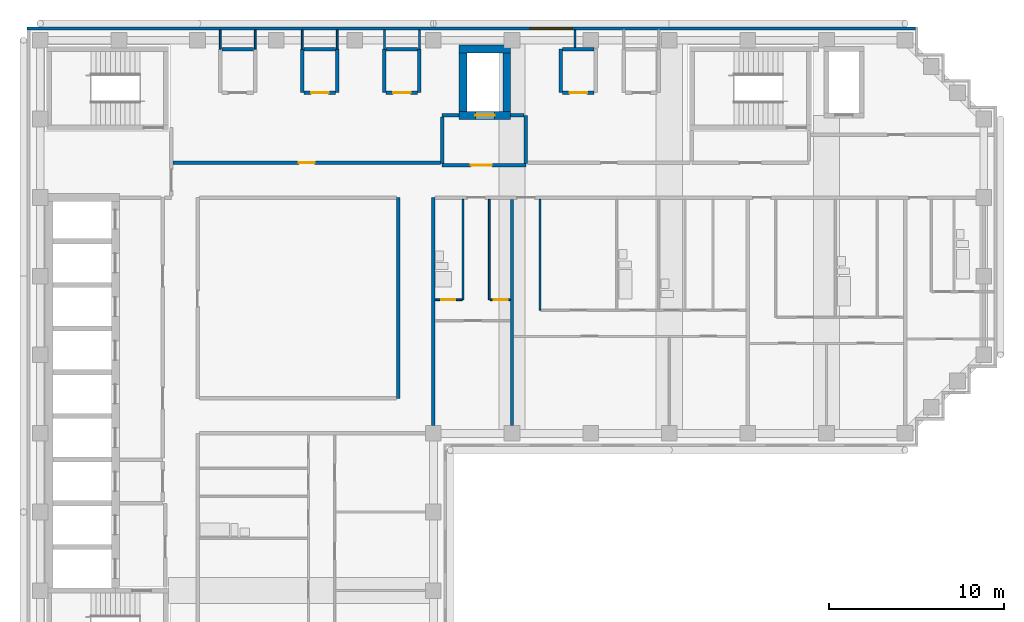
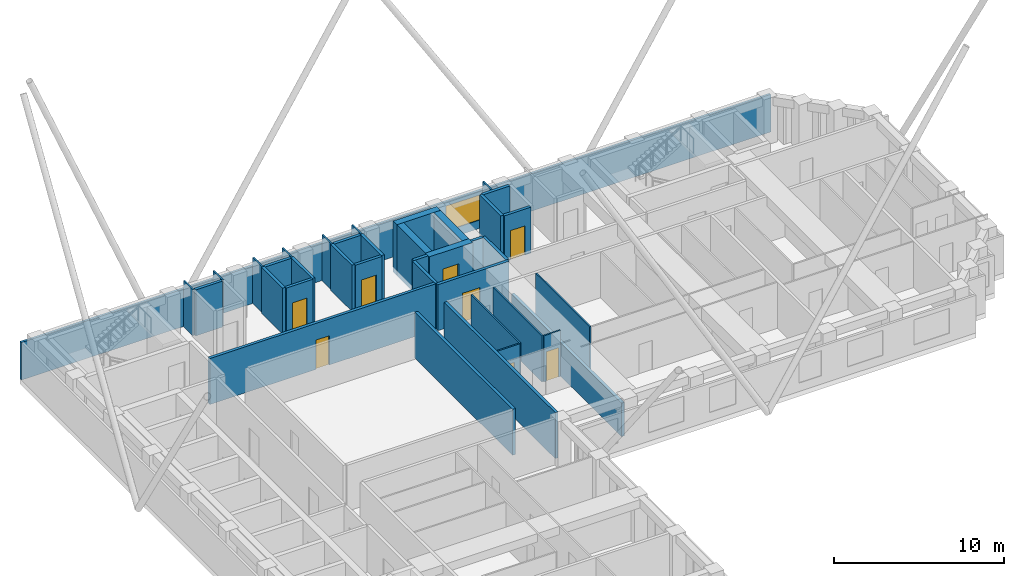
# One storey, part 5 of 9: 38 walls, 8 doors, 1 window, 9 openings.
"""IFC4 building model written with IfcOpenShell, lengths in metres."""

from ifc_helpers import new_model, si_unit, direction, frame, frame_2d, origin, place, context, subcontext, project, spatial, rectangle, extrude, material, layer, layer_set, type_object, element, fill, save


model = new_model("IFC4")

# Units and contexts
model_context = context("Model", 3, precision=1e-05, world=origin(), true_north=direction((0.0, 1.0)))
body_context = subcontext(model_context, "Body", "Model", "MODEL_VIEW")
ifc_project = project(units=[si_unit("LENGTHUNIT", "METRE"), si_unit("AREAUNIT", "SQUARE_METRE"), si_unit("VOLUMEUNIT", "CUBIC_METRE"), si_unit("PLANEANGLEUNIT", "RADIAN"), si_unit("MASSUNIT", "GRAM", prefix="KILO")], contexts=[model_context])

# Site, building, storey
site_placement = place(None, origin())
site = spatial("IfcSite", under=ifc_project, at=site_placement, CompositionType="ELEMENT")
building_placement = place(site_placement, origin())
building = spatial("IfcBuilding", under=site, at=building_placement, Name="Firuza Court", CompositionType="ELEMENT")
storey_placement = place(building_placement, frame((0.0, 0.0, 211.39990234375)))
storey = spatial("IfcBuildingStorey", under=building, at=storey_placement, Name="L54", CompositionType="ELEMENT", Elevation=211.39990234375)

# Wall
ifc_material_1 = material(Name="Moisture-resistant gypsum board partition")
ifc_layer_1 = layer(ifc_material_1, 0.10009765625)
ifc_layer_set_1 = layer_set([ifc_layer_1], Name="Moisture-resistant gypsum board partition")
wall_type_1 = type_object("IfcWallType", Name="Bathroom partition 100", PredefinedType="PLUMBINGWALL", material=ifc_layer_set_1)
wall_1_placement = place(storey_placement, frame((24.199951171875, 43.64990234375, 0.0), z_axis=(0.0, 0.0, 1.0), x_axis=(0.0, 1.0, 0.0)))
element("IfcWall", 1, at=wall_1_placement, inside=storey, type_object=wall_type_1, Name="Bathroom partition 100 L54", PredefinedType="PLUMBINGWALL", context=body_context, shape_type="SweptSolid", body=[
    extrude(rectangle(XDim=5.75, YDim=0.10009765625, at=frame_2d((2.875, 0.0))), origin(), (0.0, 0.0, 1.0), 3.300048828125),
])

# Wall, opening, door
ifc_material_2 = material(Name="Concrete C50/60", Category="concrete")
ifc_layer_2 = layer(ifc_material_2, 0.449951171875)
ifc_layer_set_2 = layer_set([ifc_layer_2], Name="Concrete C50/60")
wall_type_2 = type_object("IfcWallType", Name="Core wall 450 C50/60", PredefinedType="SHEAR", material=ifc_layer_set_2)
wall_2_placement = place(storey_placement, frame((23.97509765625, 54.199951171875, -0.349853515625), z_axis=(0.0, 0.0, 1.0), x_axis=(1.0, 0.0, 0.0)))
wall_2 = element("IfcWall", 2, at=wall_2_placement, inside=storey, type_object=wall_type_2, Name="Core wall lift shaft L54", PredefinedType="SHEAR", context=body_context, shape_type="SweptSolid", body=[
    extrude(rectangle(XDim=2.949951171875, YDim=0.449951171875, at=frame_2d((1.47509765625, 0.0))), origin(), (0.0, 0.0, 1.0), 3.64990234375),
])
opening_1_placement = place(wall_2_placement, frame((0.925048828125, 0.0, 0.35009765625)))
opening_1 = element("IfcOpeningElement", 3, at=opening_1_placement, cuts=wall_2, Name="Opening LD-FL3-54", PredefinedType="OPENING", context=body_context, shape_type="SweptSolid", body=[
    extrude(rectangle(XDim=1.10009765625, YDim=2.10009765625, at=frame_2d((0.550048828125, 1.050048828125))), frame((0.0, 0.23681640625, 0.0), z_axis=(0.0, -1.0, 0.0), x_axis=(1.0, 0.0, 0.0)), (0.0, 0.0, 1.0), 0.473876953125),
])
ifc_material_3 = material(Name="Stainless steel 1.4301 door leaf", Category="steel")
door_type_1 = type_object("IfcDoorType", Name="Lift landing door 1100", OperationType="SLIDING_TO_LEFT", PredefinedType="DOOR", material=ifc_material_3)
door_1_placement = place(opening_1_placement, origin())
door_1 = element("IfcDoor", 4, at=door_1_placement, inside=storey, type_object=door_type_1, Name="Landing door FL3", OperationType="SLIDING_TO_LEFT", OverallHeight=2.10009765625, OverallWidth=1.10009765625, PredefinedType="DOOR", context=body_context, shape_type="SweptSolid", body=[
    extrude(rectangle(XDim=1.10009765625, YDim=2.10009765625, at=frame_2d((0.550048828125, 1.050048828125))), frame((0.0, 0.02490234375, 0.0), z_axis=(0.0, -1.0, 0.0), x_axis=(1.0, 0.0, 0.0)), (0.0, 0.0, 1.0), 0.050048828125),
])
fill(opening_1, door_1)

# Walls
wall_3_placement = place(storey_placement, frame((23.97509765625, 58.0, -0.349853515625), z_axis=(0.0, 0.0, 1.0), x_axis=(1.0, 0.0, 0.0)))
element("IfcWall", 5, at=wall_3_placement, inside=storey, type_object=wall_type_2, Name="Core wall lift shaft L54", PredefinedType="SHEAR", context=body_context, shape_type="SweptSolid", body=[
    extrude(rectangle(XDim=2.949951171875, YDim=0.449951171875, at=frame_2d((1.47509765625, 0.0))), origin(), (0.0, 0.0, 1.0), 3.64990234375),
])
for number, where, z_axis, x_axis, name in (
    (6, (24.199951171875, 54.425048828125, -0.349853515625), (0.0, 0.0, 1.0), (0.0, 1.0, 0.0), "Core wall lift shaft L54"),
    (7, (26.699951171875, 54.425048828125, -0.349853515625), (0.0, 0.0, 1.0), (0.0, 1.0, 0.0), "Core wall lift shaft L54"),
):
    element("IfcWall", number, at=place(storey_placement, frame(where, z_axis=z_axis, x_axis=x_axis)), inside=storey, type_object=wall_type_2, Name=name, PredefinedType="SHEAR", context=body_context, shape_type="SweptSolid", body=[
        extrude(rectangle(XDim=3.349853515625, YDim=0.449951171875, at=frame_2d((1.6748046875, 0.0))), origin(), (0.0, 0.0, 1.0), 3.64990234375),
    ])
ifc_material_4 = material(Name="Blockwork, plastered both sides", Category="masonry")
ifc_layer_3 = layer(ifc_material_4, 0.199951171875)
ifc_layer_set_3 = layer_set([ifc_layer_3], Name="Blockwork, plastered both sides")
wall_type_3 = type_object("IfcWallType", Name="Corridor wall 200", PredefinedType="PARTITIONING", material=ifc_layer_set_3)
wall_4_placement = place(storey_placement, frame((20.5, 38.0, 0.0), z_axis=(0.0, 0.0, 1.0), x_axis=(0.0, 1.0, 0.0)))
element("IfcWall", 8, at=wall_4_placement, inside=storey, type_object=wall_type_3, Name="Corridor wall 200 L54", PredefinedType="PARTITIONING", context=body_context, shape_type="SweptSolid", body=[
    extrude(rectangle(XDim=11.5, YDim=0.199951171875, at=frame_2d((5.75, 0.0))), origin(), (0.0, 0.0, 1.0), 3.300048828125),
])

# Wall, opening, door
wall_5_placement = place(storey_placement, frame((7.60009765625, 51.5, 0.0), z_axis=(0.0, 0.0, 1.0), x_axis=(1.0, 0.0, 0.0)))
wall_5 = element("IfcWall", 9, at=wall_5_placement, inside=storey, type_object=wall_type_3, Name="Corridor wall 200 L54", PredefinedType="PARTITIONING", context=body_context, shape_type="SweptSolid", body=[
    extrude(rectangle(XDim=15.2998046875, YDim=0.199951171875, at=frame_2d((7.64990234375, 0.0))), origin(), (0.0, 0.0, 1.0), 3.300048828125),
])
opening_2_placement = place(wall_5_placement, frame((7.199951171875, 0.0, 0.0)))
opening_2 = element("IfcOpeningElement", 10, at=opening_2_placement, cuts=wall_5, Name="Opening D54049", PredefinedType="OPENING", context=body_context, shape_type="SweptSolid", body=[
    extrude(rectangle(XDim=0.89990234375, YDim=2.10009765625, at=frame_2d((0.449951171875, 1.050048828125))), frame((0.0, 0.11181640625, 0.0), z_axis=(0.0, -1.0, 0.0), x_axis=(1.0, 0.0, 0.0)), (0.0, 0.0, 1.0), 0.223876953125),
])
ifc_material_5 = material(Name="Timber door leaf in hardwood frame", Category="wood")
door_type_2 = type_object("IfcDoorType", Name="Room door 900 EI 30", OperationType="SINGLE_SWING_LEFT", PredefinedType="DOOR", material=ifc_material_5)
door_2_placement = place(opening_2_placement, origin())
door_2 = element("IfcDoor", 11, at=door_2_placement, inside=storey, type_object=door_type_2, Name="Residents' workroom door", OperationType="SINGLE_SWING_LEFT", OverallHeight=2.10009765625, OverallWidth=0.89990234375, PredefinedType="DOOR", context=body_context, shape_type="SweptSolid", body=[
    extrude(rectangle(XDim=0.89990234375, YDim=2.10009765625, at=frame_2d((0.449951171875, 1.050048828125))), frame((0.0, 0.02490234375, 0.0), z_axis=(0.0, -1.0, 0.0), x_axis=(1.0, 0.0, 0.0)), (0.0, 0.0, 1.0), 0.050048828125),
])
fill(opening_2, door_2)

# Wall
ifc_material_6 = material(Name="Timber stud partition, plasterboard both sides", Category="wood")
ifc_layer_4 = layer(ifc_material_6, 0.10009765625)
ifc_layer_set_4 = layer_set([ifc_layer_4], Name="Timber stud partition, plasterboard both sides")
wall_type_4 = type_object("IfcWallType", Name="Partition wall 100", PredefinedType="PARTITIONING", material=ifc_layer_set_4)
wall_6_placement = place(storey_placement, frame((28.60009765625, 43.050048828125, 0.0), z_axis=(0.0, 0.0, 1.0), x_axis=(0.0, 1.0, 0.0)))
element("IfcWall", 12, at=wall_6_placement, inside=storey, type_object=wall_type_4, Name="Partition wall 100 L54", PredefinedType="PARTITIONING", context=body_context, shape_type="SweptSolid", body=[
    extrude(rectangle(XDim=6.349853515625, YDim=0.10009765625, at=frame_2d((3.1748046875, 0.0))), origin(), (0.0, 0.0, 1.0), 3.300048828125),
])

# Wall, opening, door
wall_7_placement = place(storey_placement, frame((22.60009765625, 43.64990234375, 0.0), z_axis=(0.0, 0.0, 1.0), x_axis=(1.0, 0.0, 0.0)))
wall_7 = element("IfcWall", 13, at=wall_7_placement, inside=storey, type_object=wall_type_4, Name="Partition wall 100 L54", PredefinedType="PARTITIONING", context=body_context, shape_type="SweptSolid", body=[
    extrude(rectangle(XDim=1.5498046875, YDim=0.10009765625, at=frame_2d((0.77490234375, 0.0))), origin(), (0.0, 0.0, 1.0), 3.300048828125),
])
opening_3_placement = place(wall_7_placement, frame((0.35009765625, 0.0, 0.0)))
opening_3 = element("IfcOpeningElement", 14, at=opening_3_placement, cuts=wall_7, Name="Opening D54041", PredefinedType="OPENING", context=body_context, shape_type="SweptSolid", body=[
    extrude(rectangle(XDim=0.800048828125, YDim=2.10009765625, at=frame_2d((0.39990234375, 1.050048828125))), frame((0.0, 0.06201171875, 0.0), z_axis=(0.0, -1.0, 0.0), x_axis=(1.0, 0.0, 0.0)), (0.0, 0.0, 1.0), 0.1240234375),
])
ifc_material_7 = material(Name="Timber door leaf in hardwood frame", Category="wood")
door_type_3 = type_object("IfcDoorType", Name="Bathroom door 800", OperationType="SINGLE_SWING_LEFT", PredefinedType="DOOR", material=ifc_material_7)
door_3_placement = place(opening_3_placement, origin())
door_3 = element("IfcDoor", 15, at=door_3_placement, inside=storey, type_object=door_type_3, Name="Bathroom door", OperationType="SINGLE_SWING_LEFT", OverallHeight=2.10009765625, OverallWidth=0.800048828125, PredefinedType="DOOR", context=body_context, shape_type="SweptSolid", body=[
    extrude(rectangle(XDim=0.800048828125, YDim=2.10009765625, at=frame_2d((0.39990234375, 1.050048828125))), frame((0.0, 0.02490234375, 0.0), z_axis=(0.0, -1.0, 0.0), x_axis=(1.0, 0.0, 0.0)), (0.0, 0.0, 1.0), 0.050048828125),
])
fill(opening_3, door_3)

# Wall
wall_8_placement = place(storey_placement, frame((25.699951171875, 43.64990234375, 0.0), z_axis=(0.0, 0.0, 1.0), x_axis=(0.0, 1.0, 0.0)))
element("IfcWall", 16, at=wall_8_placement, inside=storey, type_object=wall_type_4, Name="Partition wall 100 L54", PredefinedType="PARTITIONING", context=body_context, shape_type="SweptSolid", body=[
    extrude(rectangle(XDim=5.75, YDim=0.10009765625, at=frame_2d((2.875, 0.0))), origin(), (0.0, 0.0, 1.0), 3.300048828125),
])

# Wall, opening, door
wall_9_placement = place(storey_placement, frame((25.75, 43.64990234375, 0.0), z_axis=(0.0, 0.0, 1.0), x_axis=(1.0, 0.0, 0.0)))
wall_9 = element("IfcWall", 17, at=wall_9_placement, inside=storey, type_object=wall_type_4, Name="Partition wall 100 L54", PredefinedType="PARTITIONING", context=body_context, shape_type="SweptSolid", body=[
    extrude(rectangle(XDim=1.14990234375, YDim=0.10009765625, at=frame_2d((0.574951171875, 0.0))), origin(), (0.0, 0.0, 1.0), 3.300048828125),
])
opening_4_placement = place(wall_9_placement, frame((0.199951171875, 0.0, 0.0)))
opening_4 = element("IfcOpeningElement", 18, at=opening_4_placement, cuts=wall_9, Name="Opening D54042", PredefinedType="OPENING", context=body_context, shape_type="SweptSolid", body=[
    extrude(rectangle(XDim=0.800048828125, YDim=2.10009765625, at=frame_2d((0.39990234375, 1.050048828125))), frame((0.0, 0.06201171875, 0.0), z_axis=(0.0, -1.0, 0.0), x_axis=(1.0, 0.0, 0.0)), (0.0, 0.0, 1.0), 0.1240234375),
])
ifc_material_8 = material(Name="Timber door leaf in hardwood frame", Category="wood")
door_type_4 = type_object("IfcDoorType", Name="Room door 800", OperationType="SINGLE_SWING_LEFT", PredefinedType="DOOR", material=ifc_material_8)
door_4_placement = place(opening_4_placement, origin())
door_4 = element("IfcDoor", 19, at=door_4_placement, inside=storey, type_object=door_type_4, Name="Kitchen door", OperationType="SINGLE_SWING_LEFT", OverallHeight=2.10009765625, OverallWidth=0.800048828125, PredefinedType="DOOR", context=body_context, shape_type="SweptSolid", body=[
    extrude(rectangle(XDim=0.800048828125, YDim=2.10009765625, at=frame_2d((0.39990234375, 1.050048828125))), frame((0.0, 0.02490234375, 0.0), z_axis=(0.0, -1.0, 0.0), x_axis=(1.0, 0.0, 0.0)), (0.0, 0.0, 1.0), 0.050048828125),
])
fill(opening_4, door_4)

# Walls
for number, where, z_axis, x_axis, name in (
    (20, (10.300048828125, 58.0, 0.0), (0.0, 0.0, 1.0), (0.0, 1.0, 0.0), "Partition wall 100 L54"),
    (21, (12.300048828125, 58.0, 0.0), (0.0, 0.0, 1.0), (0.0, 1.0, 0.0), "Partition wall 100 L54"),
    (22, (15.0, 58.0, 0.0), (0.0, 0.0, 1.0), (0.0, 1.0, 0.0), "Partition wall 100 L54"),
    (23, (17.0, 58.0, 0.0), (0.0, 0.0, 1.0), (0.0, 1.0, 0.0), "Partition wall 100 L54"),
    (24, (19.699951171875, 58.0, 0.0), (0.0, 0.0, 1.0), (0.0, 1.0, 0.0), "Partition wall 100 L54"),
    (25, (21.699951171875, 58.0, 0.0), (0.0, 0.0, 1.0), (0.0, 1.0, 0.0), "Partition wall 100 L54"),
):
    element("IfcWall", number, at=place(storey_placement, frame(where, z_axis=z_axis, x_axis=x_axis)), inside=storey, type_object=wall_type_4, Name=name, PredefinedType="PARTITIONING", context=body_context, shape_type="SweptSolid", body=[
        extrude(rectangle(XDim=1.10009765625, YDim=0.10009765625, at=frame_2d((0.550048828125, 0.0))), origin(), (0.0, 0.0, 1.0), 3.300048828125),
    ])
wall_10_placement = place(storey_placement, frame((30.60009765625, 58.10009765625, 0.0), z_axis=(0.0, 0.0, 1.0), x_axis=(0.0, 1.0, 0.0)))
element("IfcWall", 26, at=wall_10_placement, inside=storey, type_object=wall_type_4, Name="Partition wall 100 L54", PredefinedType="PARTITIONING", context=body_context, shape_type="SweptSolid", body=[
    extrude(rectangle(XDim=1.0, YDim=0.10009765625, at=frame_2d((0.5, 0.0))), origin(), (0.0, 0.0, 1.0), 3.300048828125),
])
ifc_layer_5 = layer(ifc_material_4, 0.199951171875)
ifc_layer_set_5 = layer_set([ifc_layer_5], Name="Blockwork, plastered both sides")
wall_type_5 = type_object("IfcWallType", Name="Party wall 200", PredefinedType="PARTITIONING", material=ifc_layer_set_5)
wall_11_placement = place(storey_placement, frame((22.5, 36.449951171875, 0.0), z_axis=(0.0, 0.0, 1.0), x_axis=(0.0, 1.0, 0.0)))
element("IfcWall", 27, at=wall_11_placement, inside=storey, type_object=wall_type_5, Name="Party wall 200 L54", PredefinedType="PARTITIONING", context=body_context, shape_type="SweptSolid", body=[
    extrude(rectangle(XDim=13.050048828125, YDim=0.199951171875, at=frame_2d((6.52490234375, 0.0))), origin(), (0.0, 0.0, 1.0), 3.300048828125),
])
wall_12_placement = place(storey_placement, frame((27.0, 36.449951171875, 0.0), z_axis=(0.0, 0.0, 1.0), x_axis=(0.0, 1.0, 0.0)))
element("IfcWall", 28, at=wall_12_placement, inside=storey, type_object=wall_type_5, Name="Party wall 200 L54", PredefinedType="PARTITIONING", context=body_context, shape_type="SweptSolid", body=[
    extrude(rectangle(XDim=12.949951171875, YDim=0.199951171875, at=frame_2d((6.47509765625, 0.0))), origin(), (0.0, 0.0, 1.0), 2.400146484375),
])
ifc_material_9 = material(Name="Blockwork, fire-rated", Category="masonry")
ifc_layer_6 = layer(ifc_material_9, 0.199951171875)
ifc_layer_set_6 = layer_set([ifc_layer_6], Name="Blockwork, fire-rated")
wall_type_6 = type_object("IfcWallType", Name="Plant room wall 200", PredefinedType="PARTITIONING", material=ifc_layer_set_6)
wall_13_placement = place(storey_placement, frame((15.0, 55.5, 0.0), z_axis=(0.0, 0.0, 1.0), x_axis=(0.0, 1.0, 0.0)))
element("IfcWall", 29, at=wall_13_placement, inside=storey, type_object=wall_type_6, Name="Plant room wall 200 L54", PredefinedType="PARTITIONING", context=body_context, shape_type="SweptSolid", body=[
    extrude(rectangle(XDim=2.5, YDim=0.199951171875, at=frame_2d((1.25, 0.0))), origin(), (0.0, 0.0, 1.0), 3.300048828125),
])

# Wall, opening, door
wall_14_placement = place(storey_placement, frame((15.10009765625, 55.5, 0.0), z_axis=(0.0, 0.0, 1.0), x_axis=(1.0, 0.0, 0.0)))
wall_14 = element("IfcWall", 30, at=wall_14_placement, inside=storey, type_object=wall_type_6, Name="Plant room wall 200 L54", PredefinedType="PARTITIONING", context=body_context, shape_type="SweptSolid", body=[
    extrude(rectangle(XDim=1.7998046875, YDim=0.199951171875, at=frame_2d((0.89990234375, 0.0))), origin(), (0.0, 0.0, 1.0), 3.300048828125),
])
opening_5_placement = place(wall_14_placement, frame((0.39990234375, 0.0, 0.0)))
opening_5 = element("IfcOpeningElement", 31, at=opening_5_placement, cuts=wall_14, Name="Opening D54053", PredefinedType="OPENING", context=body_context, shape_type="SweptSolid", body=[
    extrude(rectangle(XDim=1.0, YDim=2.10009765625, at=frame_2d((0.5, 1.050048828125))), frame((0.0, 0.11181640625, 0.0), z_axis=(0.0, -1.0, 0.0), x_axis=(1.0, 0.0, 0.0)), (0.0, 0.0, 1.0), 0.223876953125),
])
ifc_material_10 = material(Name="Timber door leaf in hardwood frame", Category="wood")
door_type_5 = type_object("IfcDoorType", Name="Riser door 1000", OperationType="SINGLE_SWING_LEFT", PredefinedType="DOOR", material=ifc_material_10)
door_5_placement = place(opening_5_placement, origin())
door_5 = element("IfcDoor", 32, at=door_5_placement, inside=storey, type_object=door_type_5, Name="Electrical riser door", OperationType="SINGLE_SWING_LEFT", OverallHeight=2.10009765625, OverallWidth=1.0, PredefinedType="DOOR", context=body_context, shape_type="SweptSolid", body=[
    extrude(rectangle(XDim=1.0, YDim=2.10009765625, at=frame_2d((0.5, 1.050048828125))), frame((0.0, 0.02490234375, 0.0), z_axis=(0.0, -1.0, 0.0), x_axis=(1.0, 0.0, 0.0)), (0.0, 0.0, 1.0), 0.050048828125),
])
fill(opening_5, door_5)

# Walls
for number, where, z_axis, x_axis, name in (
    (33, (17.0, 55.5, 0.0), (0.0, 0.0, 1.0), (0.0, 1.0, 0.0), "Plant room wall 200 L54"),
    (34, (19.699951171875, 55.5, 0.0), (0.0, 0.0, 1.0), (0.0, 1.0, 0.0), "Plant room wall 200 L54"),
):
    element("IfcWall", number, at=place(storey_placement, frame(where, z_axis=z_axis, x_axis=x_axis)), inside=storey, type_object=wall_type_6, Name=name, PredefinedType="PARTITIONING", context=body_context, shape_type="SweptSolid", body=[
        extrude(rectangle(XDim=2.5, YDim=0.199951171875, at=frame_2d((1.25, 0.0))), origin(), (0.0, 0.0, 1.0), 3.300048828125),
    ])

# Wall, opening, door
wall_15_placement = place(storey_placement, frame((19.800048828125, 55.5, 0.0), z_axis=(0.0, 0.0, 1.0), x_axis=(1.0, 0.0, 0.0)))
wall_15 = element("IfcWall", 35, at=wall_15_placement, inside=storey, type_object=wall_type_6, Name="Plant room wall 200 L54", PredefinedType="PARTITIONING", context=body_context, shape_type="SweptSolid", body=[
    extrude(rectangle(XDim=1.800048828125, YDim=0.199951171875, at=frame_2d((0.89990234375, 0.0))), origin(), (0.0, 0.0, 1.0), 3.300048828125),
])
opening_6_placement = place(wall_15_placement, frame((0.39990234375, 0.0, 0.0)))
opening_6 = element("IfcOpeningElement", 36, at=opening_6_placement, cuts=wall_15, Name="Opening D54054", PredefinedType="OPENING", context=body_context, shape_type="SweptSolid", body=[
    extrude(rectangle(XDim=1.0, YDim=2.10009765625, at=frame_2d((0.5, 1.050048828125))), frame((0.0, 0.11181640625, 0.0), z_axis=(0.0, -1.0, 0.0), x_axis=(1.0, 0.0, 0.0)), (0.0, 0.0, 1.0), 0.223876953125),
])
door_6_placement = place(opening_6_placement, origin())
door_6 = element("IfcDoor", 37, at=door_6_placement, inside=storey, type_object=door_type_5, Name="Duct riser door", OperationType="SINGLE_SWING_LEFT", OverallHeight=2.10009765625, OverallWidth=1.0, PredefinedType="DOOR", context=body_context, shape_type="SweptSolid", body=[
    extrude(rectangle(XDim=1.0, YDim=2.10009765625, at=frame_2d((0.5, 1.050048828125))), frame((0.0, 0.02490234375, 0.0), z_axis=(0.0, -1.0, 0.0), x_axis=(1.0, 0.0, 0.0)), (0.0, 0.0, 1.0), 0.050048828125),
])
fill(opening_6, door_6)

# Walls
for number, where, z_axis, x_axis, name in (
    (38, (21.699951171875, 55.5, 0.0), (0.0, 0.0, 1.0), (0.0, 1.0, 0.0), "Plant room wall 200 L54"),
    (39, (29.800048828125, 55.5, 0.0), (0.0, 0.0, 1.0), (0.0, 1.0, 0.0), "Plant room wall 200 L54"),
):
    element("IfcWall", number, at=place(storey_placement, frame(where, z_axis=z_axis, x_axis=x_axis)), inside=storey, type_object=wall_type_6, Name=name, PredefinedType="PARTITIONING", context=body_context, shape_type="SweptSolid", body=[
        extrude(rectangle(XDim=2.5, YDim=0.199951171875, at=frame_2d((1.25, 0.0))), origin(), (0.0, 0.0, 1.0), 3.300048828125),
    ])

# Wall, opening, door
wall_16_placement = place(storey_placement, frame((29.89990234375, 55.5, 0.0), z_axis=(0.0, 0.0, 1.0), x_axis=(1.0, 0.0, 0.0)))
wall_16 = element("IfcWall", 40, at=wall_16_placement, inside=storey, type_object=wall_type_6, Name="Plant room wall 200 L54", PredefinedType="PARTITIONING", context=body_context, shape_type="SweptSolid", body=[
    extrude(rectangle(XDim=1.800048828125, YDim=0.199951171875, at=frame_2d((0.89990234375, 0.0))), origin(), (0.0, 0.0, 1.0), 3.300048828125),
])
opening_7_placement = place(wall_16_placement, frame((0.39990234375, 0.0, 0.0)))
opening_7 = element("IfcOpeningElement", 41, at=opening_7_placement, cuts=wall_16, Name="Opening D54055", PredefinedType="OPENING", context=body_context, shape_type="SweptSolid", body=[
    extrude(rectangle(XDim=1.0, YDim=2.10009765625, at=frame_2d((0.5, 1.050048828125))), frame((0.0, 0.11181640625, 0.0), z_axis=(0.0, -1.0, 0.0), x_axis=(1.0, 0.0, 0.0)), (0.0, 0.0, 1.0), 0.223876953125),
])
door_7_placement = place(opening_7_placement, origin())
door_7 = element("IfcDoor", 42, at=door_7_placement, inside=storey, type_object=door_type_5, Name="Electrical riser door", OperationType="SINGLE_SWING_LEFT", OverallHeight=2.10009765625, OverallWidth=1.0, PredefinedType="DOOR", context=body_context, shape_type="SweptSolid", body=[
    extrude(rectangle(XDim=1.0, YDim=2.10009765625, at=frame_2d((0.5, 1.050048828125))), frame((0.0, 0.02490234375, 0.0), z_axis=(0.0, -1.0, 0.0), x_axis=(1.0, 0.0, 0.0)), (0.0, 0.0, 1.0), 0.050048828125),
])
fill(opening_7, door_7)

# Walls
wall_17_placement = place(storey_placement, frame((10.39990234375, 58.0, 0.0), z_axis=(0.0, 0.0, 1.0), x_axis=(1.0, 0.0, 0.0)))
element("IfcWall", 43, at=wall_17_placement, inside=storey, type_object=wall_type_6, Name="Plant room wall 200 L54", PredefinedType="PARTITIONING", context=body_context, shape_type="SweptSolid", body=[
    extrude(rectangle(XDim=1.800048828125, YDim=0.199951171875, at=frame_2d((0.89990234375, 0.0))), origin(), (0.0, 0.0, 1.0), 3.300048828125),
])
wall_18_placement = place(storey_placement, frame((15.10009765625, 58.0, 0.0), z_axis=(0.0, 0.0, 1.0), x_axis=(1.0, 0.0, 0.0)))
element("IfcWall", 44, at=wall_18_placement, inside=storey, type_object=wall_type_6, Name="Plant room wall 200 L54", PredefinedType="PARTITIONING", context=body_context, shape_type="SweptSolid", body=[
    extrude(rectangle(XDim=1.7998046875, YDim=0.199951171875, at=frame_2d((0.89990234375, 0.0))), origin(), (0.0, 0.0, 1.0), 3.300048828125),
])
for number, where, z_axis, x_axis, name in (
    (45, (19.800048828125, 58.0, 0.0), (0.0, 0.0, 1.0), (1.0, 0.0, 0.0), "Plant room wall 200 L54"),
    (46, (29.89990234375, 58.0, 0.0), (0.0, 0.0, 1.0), (1.0, 0.0, 0.0), "Plant room wall 200 L54"),
):
    element("IfcWall", number, at=place(storey_placement, frame(where, z_axis=z_axis, x_axis=x_axis)), inside=storey, type_object=wall_type_6, Name=name, PredefinedType="PARTITIONING", context=body_context, shape_type="SweptSolid", body=[
        extrude(rectangle(XDim=1.800048828125, YDim=0.199951171875, at=frame_2d((0.89990234375, 0.0))), origin(), (0.0, 0.0, 1.0), 3.300048828125),
    ])

# Wall, opening, window
ifc_material_11 = material(Name="Ceramic tile", Category="ceramic")
ifc_layer_7 = layer(ifc_material_11, 0.02001953125)
ifc_material_12 = material(Name="Mineral wool insulation", Category="insulation")
ifc_layer_8 = layer(ifc_material_12, 0.050048828125)
ifc_material_13 = material(Name="Concrete C40/50 precast", Category="concrete")
ifc_layer_9 = layer(ifc_material_13, 0.080078125)
ifc_layer_set_7 = layer_set([ifc_layer_7, ifc_layer_8, ifc_layer_9], Name="Concrete C40/50 precast")
wall_type_7 = type_object("IfcWallType", Name="Precast cladding wall with turquoise TILE PANEL face 150", PredefinedType="STANDARD", material=ifc_layer_set_7)
wall_19_placement = place(storey_placement, frame((50.10009765625, 59.175048828125, 0.0), z_axis=(0.0, 0.0, 1.0), x_axis=(-1.0, 0.0, 0.0)))
wall_19 = element("IfcWall", 47, at=wall_19_placement, inside=storey, type_object=wall_type_7, Name="Facade wall L54 N", PredefinedType="STANDARD", context=body_context, shape_type="SweptSolid", body=[
    extrude(rectangle(XDim=50.85009765625, YDim=0.14990234375, at=frame_2d((25.425048828125, 0.0))), origin(), (0.0, 0.0, 1.0), 2.7001953125),
])
opening_8_placement = place(wall_19_placement, frame((19.64990234375, 0.0, 0.60009765625)))
opening_8 = element("IfcOpeningElement", 48, at=opening_8_placement, cuts=wall_19, Name="Opening W1", PredefinedType="OPENING", context=body_context, shape_type="SweptSolid", body=[
    extrude(rectangle(XDim=2.39990234375, YDim=1.800048828125, at=frame_2d((1.199951171875, 0.89990234375))), frame((0.0, 0.0869140625, 0.0), z_axis=(0.0, -1.0, 0.0), x_axis=(1.0, 0.0, 0.0)), (0.0, 0.0, 1.0), 0.173828125),
])
ifc_material_14 = material(Name="Aluminium frame, triple clear glazing", Category="aluminium")
window_type = type_object("IfcWindowType", Name="Window W1 2400 x 1800", PartitioningType="SINGLE_PANEL", PredefinedType="WINDOW", material=ifc_material_14)
window_placement = place(opening_8_placement, origin())
window = element("IfcWindow", 49, at=window_placement, inside=storey, type_object=window_type, Name="Window L54", OverallHeight=1.800048828125, OverallWidth=2.39990234375, PartitioningType="SINGLE_PANEL", PredefinedType="WINDOW", context=body_context, shape_type="SweptSolid", body=[
    extrude(rectangle(XDim=2.39990234375, YDim=1.800048828125, at=frame_2d((1.199951171875, 0.89990234375))), frame((0.0, 0.030029296875, 0.0), z_axis=(0.0, -1.0, 0.0), x_axis=(1.0, 0.0, 0.0)), (0.0, 0.0, 1.0), 0.06005859375),
])
fill(opening_8, window)

# Wall, opening, door
ifc_layer_10 = layer(ifc_material_9, 0.199951171875)
ifc_layer_set_8 = layer_set([ifc_layer_10], Name="Blockwork, fire-rated")
wall_type_8 = type_object("IfcWallType", Name="Shaft wall 200", PredefinedType="PARTITIONING", material=ifc_layer_set_8)
wall_20_placement = place(storey_placement, frame((23.0, 51.35009765625, 0.0), z_axis=(0.0, 0.0, 1.0), x_axis=(1.0, 0.0, 0.0)))
wall_20 = element("IfcWall", 50, at=wall_20_placement, inside=storey, type_object=wall_type_8, Name="Shaft wall 200 L54", PredefinedType="PARTITIONING", context=body_context, shape_type="SweptSolid", body=[
    extrude(rectangle(XDim=4.800048828125, YDim=0.199951171875, at=frame_2d((2.39990234375, 0.0))), origin(), (0.0, 0.0, 1.0), 3.300048828125),
])
opening_9_placement = place(wall_20_placement, frame((1.64990234375, 0.0, 0.0)))
opening_9 = element("IfcOpeningElement", 51, at=opening_9_placement, cuts=wall_20, Name="Opening D54003", PredefinedType="OPENING", context=body_context, shape_type="SweptSolid", body=[
    extrude(rectangle(XDim=1.199951171875, YDim=2.10009765625, at=frame_2d((0.60009765625, 1.050048828125))), frame((0.0, 0.11181640625, 0.0), z_axis=(0.0, -1.0, 0.0), x_axis=(1.0, 0.0, 0.0)), (0.0, 0.0, 1.0), 0.223876953125),
])
ifc_material_15 = material(Name="Timber door leaf in hardwood frame", Category="wood")
door_type_6 = type_object("IfcDoorType", Name="Lobby door 1200", OperationType="SINGLE_SWING_LEFT", PredefinedType="DOOR", material=ifc_material_15)
door_8_placement = place(opening_9_placement, origin())
door_8 = element("IfcDoor", 52, at=door_8_placement, inside=storey, type_object=door_type_6, Name="Fire-fighting lobby door", OperationType="SINGLE_SWING_LEFT", OverallHeight=2.10009765625, OverallWidth=1.199951171875, PredefinedType="DOOR", context=body_context, shape_type="SweptSolid", body=[
    extrude(rectangle(XDim=1.199951171875, YDim=2.10009765625, at=frame_2d((0.60009765625, 1.050048828125))), frame((0.0, 0.02490234375, 0.0), z_axis=(0.0, -1.0, 0.0), x_axis=(1.0, 0.0, 0.0)), (0.0, 0.0, 1.0), 0.050048828125),
])
fill(opening_9, door_8)

# Walls
wall_21_placement = place(storey_placement, frame((27.800048828125, 51.449951171875, 0.0), z_axis=(0.0, 0.0, 1.0), x_axis=(0.0, 1.0, 0.0)))
element("IfcWall", 53, at=wall_21_placement, inside=storey, type_object=wall_type_8, Name="Shaft wall 200 L54", PredefinedType="PARTITIONING", context=body_context, shape_type="SweptSolid", body=[
    extrude(rectangle(XDim=2.75, YDim=0.199951171875, at=frame_2d((1.375, 0.0))), origin(), (0.0, 0.0, 1.0), 3.300048828125),
])
wall_22_placement = place(storey_placement, frame((23.0, 54.199951171875, 0.0), z_axis=(0.0, 0.0, 1.0), x_axis=(1.0, 0.0, 0.0)))
element("IfcWall", 54, at=wall_22_placement, inside=storey, type_object=wall_type_8, Name="Shaft wall 200 L54", PredefinedType="PARTITIONING", context=body_context, shape_type="SweptSolid", body=[
    extrude(rectangle(XDim=0.97509765625, YDim=0.199951171875, at=frame_2d((0.487548828125, 0.0))), origin(), (0.0, 0.0, 1.0), 3.300048828125),
])
wall_23_placement = place(storey_placement, frame((26.925048828125, 54.199951171875, 0.0), z_axis=(0.0, 0.0, 1.0), x_axis=(1.0, 0.0, 0.0)))
element("IfcWall", 55, at=wall_23_placement, inside=storey, type_object=wall_type_8, Name="Shaft wall 200 L54", PredefinedType="PARTITIONING", context=body_context, shape_type="SweptSolid", body=[
    extrude(rectangle(XDim=0.77490234375, YDim=0.199951171875, at=frame_2d((0.387451171875, 0.0))), origin(), (0.0, 0.0, 1.0), 3.300048828125),
])
wall_24_placement = place(storey_placement, frame((23.0, 51.449951171875, 0.0), z_axis=(0.0, 0.0, 1.0), x_axis=(0.0, 1.0, 0.0)))
element("IfcWall", 56, at=wall_24_placement, inside=storey, type_object=wall_type_8, Name="Shaft wall 200 L54", PredefinedType="PARTITIONING", context=body_context, shape_type="SweptSolid", body=[
    extrude(rectangle(XDim=2.650146484375, YDim=0.199951171875, at=frame_2d((1.3251953125, 0.0))), origin(), (0.0, 0.0, 1.0), 3.300048828125),
])

save(model, "model.ifc")
